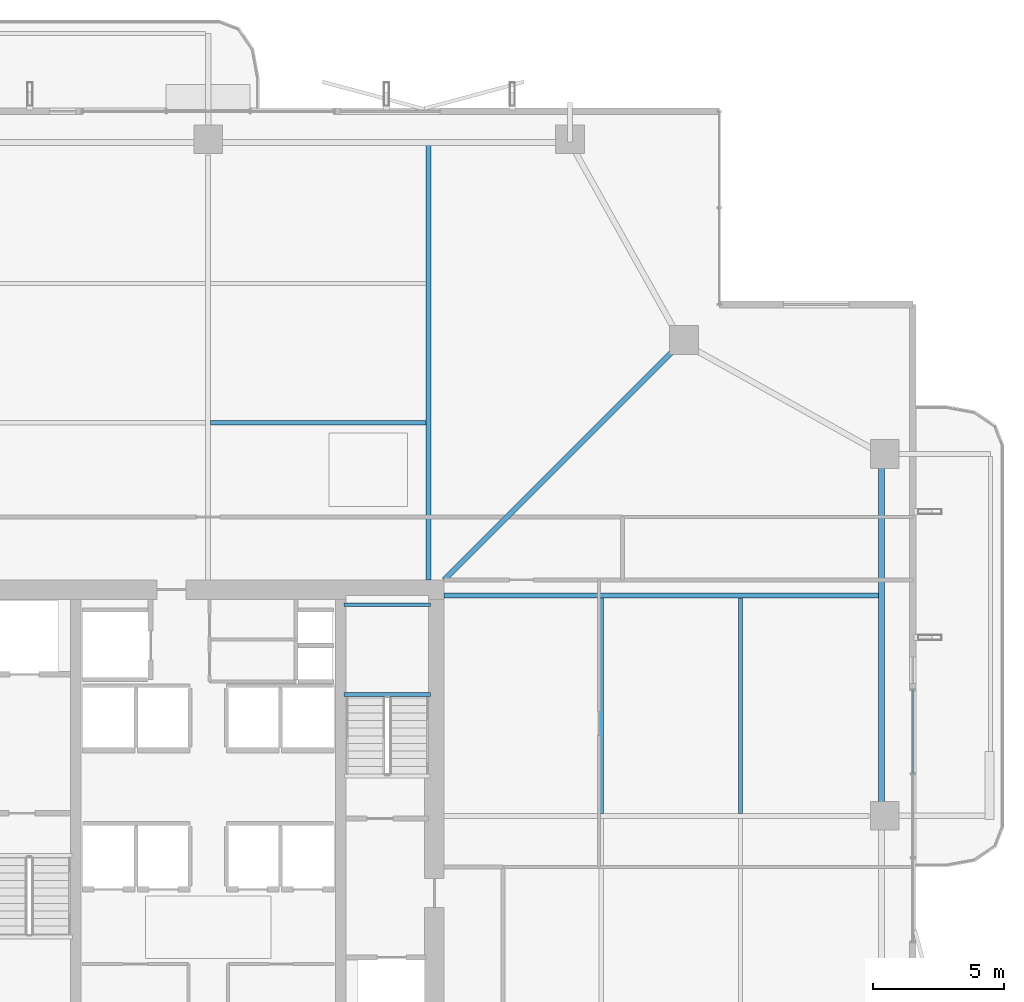
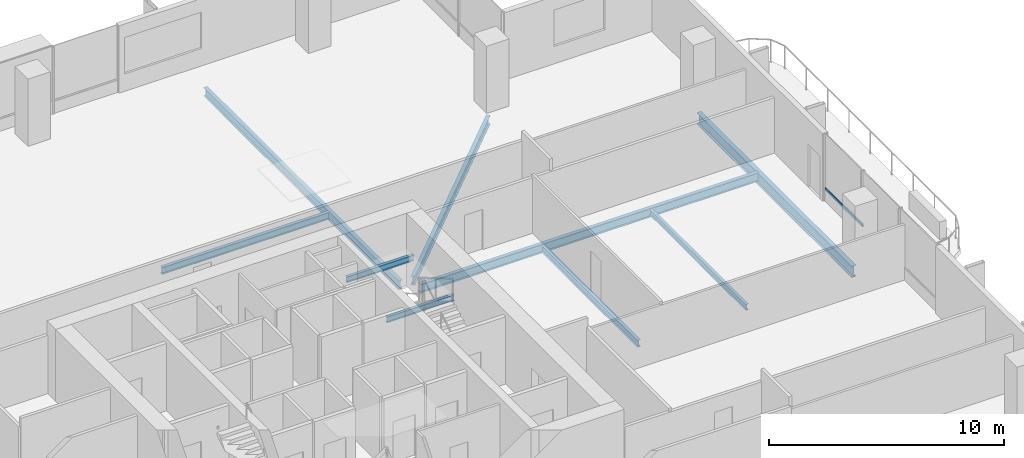
# One storey, part 17 of 29: 9 beams, 1 member, 1 element without a shape of its own.
"""IFC4 building model written with IfcOpenShell, lengths in metres."""

from ifc_helpers import new_model, si_unit, direction, frame, origin, origin_2d, place, context, subcontext, project, spatial, hollow_rectangle, i_section, extrude, material, layer, layer_set, material_profile, profile_set, type_object, element, aggregate, save


model = new_model("IFC4")

# Units and contexts
model_context = context("Model", 3, precision=1e-05, world=origin(), true_north=direction((0.0, 1.0)))
body_context = subcontext(model_context, "Body", "Model", "MODEL_VIEW")
ifc_project = project(units=[si_unit("LENGTHUNIT", "METRE"), si_unit("AREAUNIT", "SQUARE_METRE"), si_unit("VOLUMEUNIT", "CUBIC_METRE"), si_unit("PLANEANGLEUNIT", "RADIAN"), si_unit("MASSUNIT", "GRAM", prefix="KILO")], contexts=[model_context])

# Site, building, storey
site_placement = place(None, origin())
site = spatial("IfcSite", under=ifc_project, at=site_placement, CompositionType="ELEMENT")
building_placement = place(site_placement, origin())
building = spatial("IfcBuilding", under=site, at=building_placement, Name="Belovzor Exchange Tower", CompositionType="ELEMENT")
storey_placement = place(building_placement, frame((0.0, 0.0, 199.949951171875)))
storey = spatial("IfcBuildingStorey", under=building, at=storey_placement, Name="L49", CompositionType="ELEMENT", Elevation=199.949951171875)

# Beams
ifc_material_1 = material(Name="Steel S355", Category="steel")
ifc_material_profile_1 = material_profile(ifc_material_1, i_section(OverallWidth=0.169921875, OverallDepth=0.360107421875, WebThickness=0.008056640625, FlangeThickness=0.0126953125, at=origin_2d()))
ifc_profile_set_1 = profile_set([ifc_material_profile_1], Name="Steel S355")
beam_type_1 = type_object("IfcBeamType", Name="Secondary Infill Floor Joist IPE 360", PredefinedType="BEAM", material=ifc_profile_set_1)
for number, where, z_axis, x_axis, name in (
    (1, (28.89501953125, 43.783935546875, -0.429931640625), (1.0, 0.0, 0.0), (0.0, 1.0, 0.0), "FJ-360 Secondary Infill Floor Joist IPE 360"),
    (2, (43.783935546875, 28.89501953125, -0.429931640625), (0.0, 1.0, 0.0), (-1.0, 0.0, 0.0), "FJ-360 Secondary Infill Floor Joist IPE 360"),
):
    element("IfcBeam", number, at=place(storey_placement, frame(where, z_axis=z_axis, x_axis=x_axis)), inside=storey, type_object=beam_type_1, Name=name, PredefinedType="BEAM", context=body_context, shape_type="SweptSolid", body=[
        extrude(i_section(OverallWidth=0.169921875, OverallDepth=0.360107421875, WebThickness=0.008056640625, FlangeThickness=0.0126953125, at=origin_2d()), origin(), (0.0, 0.0, 1.0), 8.2099609375),
    ])
ifc_material_2 = material(Name="Steel S355", Category="steel")
ifc_material_profile_2 = material_profile(ifc_material_2, i_section(OverallWidth=0.14990234375, OverallDepth=0.300048828125, WebThickness=0.007080078125, FlangeThickness=0.0107421875, at=origin_2d()))
ifc_profile_set_2 = profile_set([ifc_material_profile_2], Name="Steel S355")
beam_type_2 = type_object("IfcBeamType", Name="Secondary Trim Floor Joist IPE 300", PredefinedType="BEAM", material=ifc_profile_set_2)
for number, where, z_axis, x_axis, name in (
    (3, (37.280029296875, 33.419921875, 1.525146484375), (-1.0, 0.0, 0.0), (0.0, -1.0, 0.0), "FJ-300 Secondary Trim Floor Joist IPE 300"),
    (4, (37.280029296875, 36.85009765625, 1.525146484375), (-1.0, 0.0, 0.0), (0.0, -1.0, 0.0), "FJ-300 Secondary Trim Floor Joist IPE 300"),
):
    element("IfcBeam", number, at=place(storey_placement, frame(where, z_axis=z_axis, x_axis=x_axis)), inside=storey, type_object=beam_type_2, Name=name, PredefinedType="BEAM", context=body_context, shape_type="SweptSolid", body=[
        extrude(i_section(OverallWidth=0.14990234375, OverallDepth=0.300048828125, WebThickness=0.007080078125, FlangeThickness=0.0107421875, at=origin_2d()), origin(), (0.0, 0.0, 1.0), 3.31005859375),
    ])
beam_1_placement = place(storey_placement, frame((49.10400390625, 28.89501953125, -0.39990234375), z_axis=(0.0, 1.0, 0.0), x_axis=(-1.0, 0.0, 0.0)))
element("IfcBeam", 5, at=beam_1_placement, inside=storey, type_object=beam_type_2, Name="FJ-300 Secondary Trim Floor Joist IPE 300", PredefinedType="BEAM", context=body_context, shape_type="SweptSolid", body=[
    extrude(i_section(OverallWidth=0.14990234375, OverallDepth=0.300048828125, WebThickness=0.007080078125, FlangeThickness=0.0107421875, at=origin_2d()), origin(), (0.0, 0.0, 1.0), 8.2099609375),
])

# Curtain wall, member
ifc_material_3 = material(Name="Anodised Aluminium Framing", Category="aluminium")
ifc_layer = layer(ifc_material_3, 0.179931640625)
ifc_layer_set = layer_set([ifc_layer], Name="Anodised Aluminium Framing")
curtain_wall_type = type_object("IfcCurtainWallType", Name="Recessed Loggia Low-Iron Triple-Glazed Curtain Wall", PredefinedType="NOTDEFINED", material=ifc_layer_set)
curtain_wall_placement = place(storey_placement, origin())
curtain_wall = element("IfcCurtainWall", 6, at=curtain_wall_placement, inside=storey, type_object=curtain_wall_type, Name="CW3 Recessed Loggia Low-Iron Triple-Glazed Curtain Wall L49", PredefinedType="NOTDEFINED")
ifc_material_4 = material(Name="Steel S355", Category="steel")
ifc_material_profile_3 = material_profile(ifc_material_4, hollow_rectangle(XDim=0.06005859375, YDim=0.14990234375, WallThickness=0.00390625, at=origin_2d()))
ifc_profile_set_3 = profile_set([ifc_material_profile_3], Name="Steel S355")
member_type = type_object("IfcMemberType", Name="Thermally Broken Curtain Wall Transom 150x60", PredefinedType="USERDEFINED", material=ifc_profile_set_3)
member_placement = place(storey_placement, frame((55.669921875, 33.592041015625, 0.630126953125), z_axis=(0.0, -1.0, 0.0), x_axis=(1.0, 0.0, 0.0)))
member = element("IfcMember", 7, at=member_placement, type_object=member_type, Name="CW-T150 Curtain Wall Transom 1", ObjectType="TRANSOM", PredefinedType="USERDEFINED", context=body_context, shape_type="SweptSolid", body=[
    extrude(hollow_rectangle(XDim=0.06005859375, YDim=0.14990234375, WallThickness=0.00390625, at=origin_2d()), origin(), (0.0, 0.0, 1.0), 3.18408203125),
])
aggregate(curtain_wall, [member])

# Beams
ifc_material_5 = material(Name="Steel S355", Category="steel")
ifc_material_profile_4 = material_profile(ifc_material_5, i_section(OverallWidth=0.18994140625, OverallDepth=0.449951171875, WebThickness=0.009521484375, FlangeThickness=0.0146484375, at=origin_2d()))
ifc_profile_set_4 = profile_set([ifc_material_profile_4], Name="Steel S355")
beam_type_3 = type_object("IfcBeamType", Name="Zone 2-4 Radial Composite Floor Beam IPE 450", PredefinedType="BEAM", material=ifc_profile_set_4)
for number, where, z_axis, x_axis, name in (
    (8, (37.199951171875, 37.800048828125, -0.474853515625), (0.0, 1.0, 0.0), (-1.0, 0.0, 0.0), "FB-450 Zone 2-4 Radial Composite Floor Beam IPE 450"),
    (9, (37.800048828125, 37.199951171875, -0.474853515625), (1.0, 0.0, 0.0), (0.0, 1.0, 0.0), "FB-450 Zone 2-4 Radial Composite Floor Beam IPE 450"),
):
    element("IfcBeam", number, at=place(storey_placement, frame(where, z_axis=z_axis, x_axis=x_axis)), inside=storey, type_object=beam_type_3, Name=name, PredefinedType="BEAM", context=body_context, shape_type="SweptSolid", body=[
        extrude(i_section(OverallWidth=0.18994140625, OverallDepth=0.449951171875, WebThickness=0.009521484375, FlangeThickness=0.0146484375, at=origin_2d()), origin(), (0.0, 0.0, 1.0), 16.623046875),
    ])
beam_2_placement = place(storey_placement, frame((37.800048828125, 37.800048828125, -0.474853515625), z_axis=(0.707106781187, 0.707106781187, 0.0), x_axis=(-0.707106781187, 0.707106781187, 0.0)))
element("IfcBeam", 10, at=beam_2_placement, inside=storey, type_object=beam_type_3, Name="FB-450 Zone 2-4 Radial Composite Floor Beam IPE 450", PredefinedType="BEAM", context=body_context, shape_type="SweptSolid", body=[
    extrude(i_section(OverallWidth=0.18994140625, OverallDepth=0.449951171875, WebThickness=0.009521484375, FlangeThickness=0.0146484375, at=origin_2d()), origin(), (0.0, 0.0, 1.0), 12.4208984375),
])
ifc_material_6 = material(Name="Steel S355", Category="steel")
ifc_material_profile_5 = material_profile(ifc_material_6, i_section(OverallWidth=0.219970703125, OverallDepth=0.60009765625, WebThickness=0.011962890625, FlangeThickness=0.01904296875, at=origin_2d()))
ifc_profile_set_5 = profile_set([ifc_material_profile_5], Name="Steel S355")
beam_type_4 = type_object("IfcBeamType", Name="Zone 4 Flare Primary Girder IPE 600", PredefinedType="BEAM", material=ifc_profile_set_5)
beam_3_placement = place(storey_placement, frame((54.47802734375, 29.10205078125, -0.550048828125), z_axis=(0.0, 1.0, 0.0), x_axis=(-1.0, 0.0, 0.0)))
element("IfcBeam", 11, at=beam_3_placement, inside=storey, type_object=beam_type_4, Name="FG-Z4 Zone 4 Flare Primary Girder IPE 600", PredefinedType="BEAM", context=body_context, shape_type="SweptSolid", body=[
    extrude(i_section(OverallWidth=0.219970703125, OverallDepth=0.60009765625, WebThickness=0.011962890625, FlangeThickness=0.01904296875, at=origin_2d()), origin(), (0.0, 0.0, 1.0), 13.195068359375),
])

save(model, "model.ifc")
